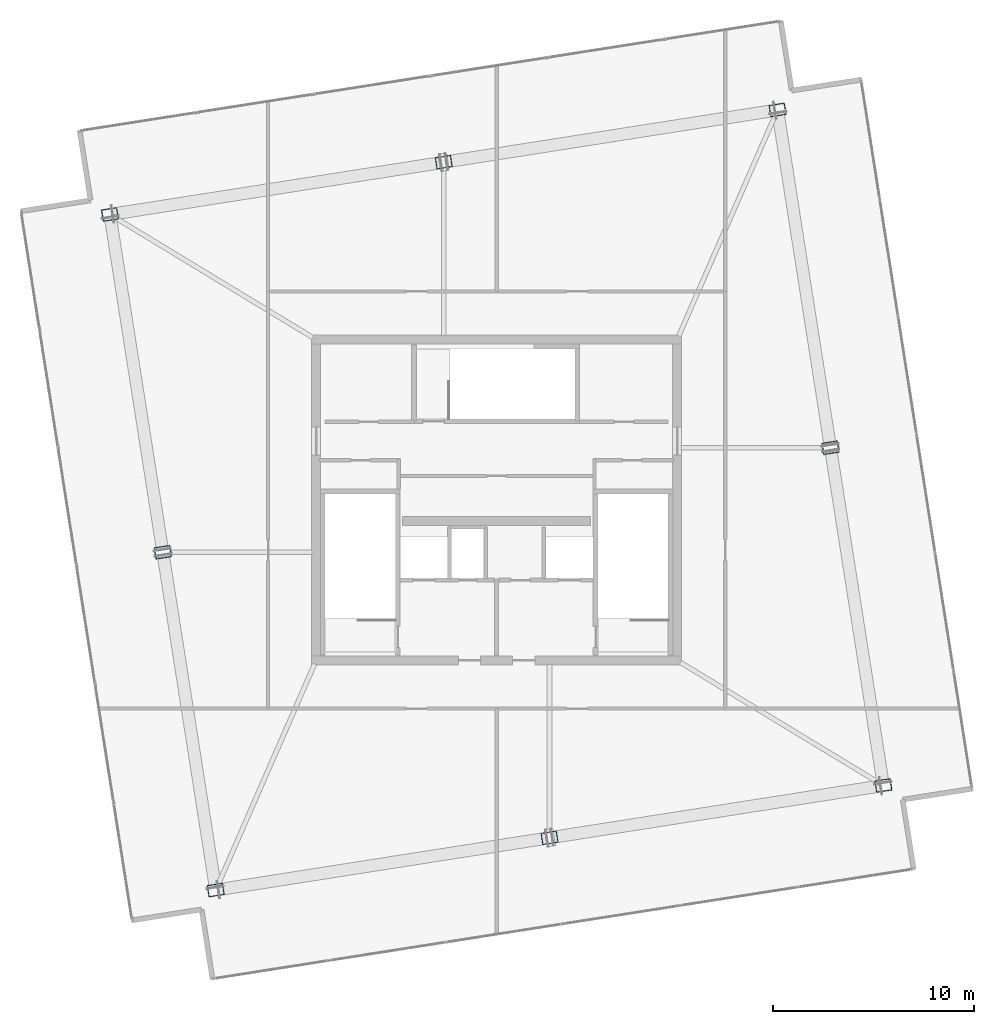
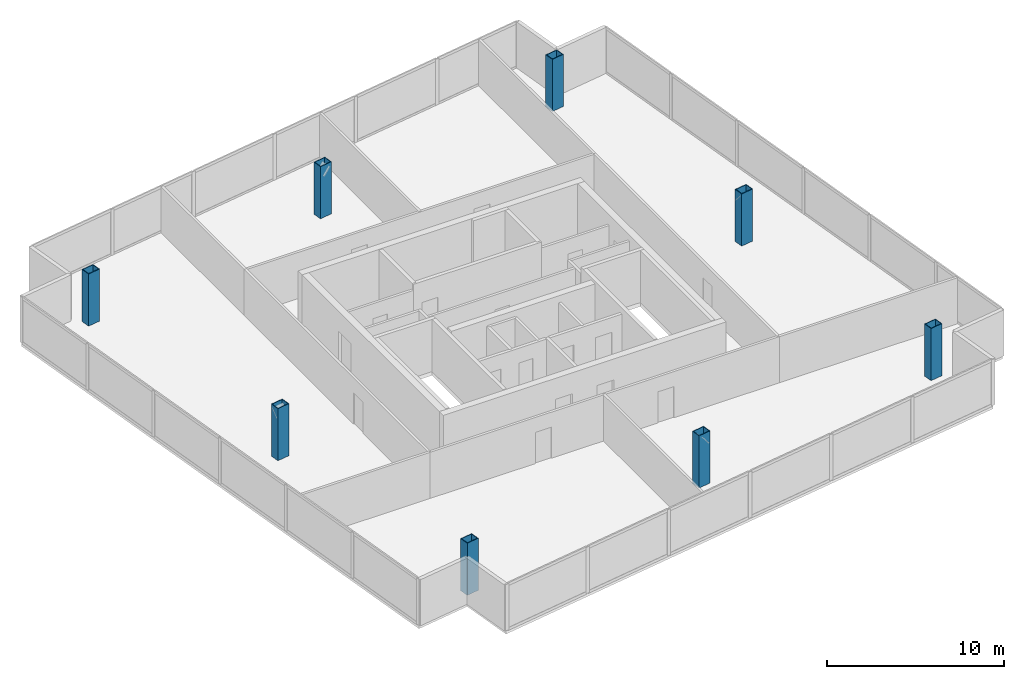
# One storey, part 1 of 17: 8 columns.
"""IFC4 building model written with IfcOpenShell, lengths in metres."""

from ifc_helpers import new_model, si_unit, direction, frame, origin, origin_2d, place, context, subcontext, project, spatial, hollow_rectangle, extrude, material, material_profile, profile_set, type_object, element, save


model = new_model("IFC4")

# Units and contexts
model_context = context("Model", 3, precision=1e-05, world=origin(), true_north=direction((0.0, 1.0)))
body_context = subcontext(model_context, "Body", "Model", "MODEL_VIEW")
ifc_project = project(units=[si_unit("LENGTHUNIT", "METRE"), si_unit("AREAUNIT", "SQUARE_METRE"), si_unit("VOLUMEUNIT", "CUBIC_METRE"), si_unit("PLANEANGLEUNIT", "RADIAN"), si_unit("MASSUNIT", "GRAM", prefix="KILO")], contexts=[model_context])

# Site, building, storey
site_placement = place(None, origin())
site = spatial("IfcSite", under=ifc_project, at=site_placement, CompositionType="ELEMENT")
building_placement = place(site_placement, origin())
building = spatial("IfcBuilding", under=site, at=building_placement, Name="Haldenkirk Collegiate Tower", CompositionType="ELEMENT")
storey_placement = place(building_placement, frame((0.0, 0.0, 371.39990234375)))
storey = spatial("IfcBuildingStorey", under=building, at=storey_placement, Name="L94", CompositionType="ELEMENT", Elevation=371.39990234375)

# Columns
ifc_material = material(Name="Steel ASTM A572 Grade 50", Category="steel")
ifc_material_profile = material_profile(ifc_material, hollow_rectangle(XDim=0.60009765625, YDim=0.800048828125, WallThickness=0.0400390625, at=origin_2d()), Name="BOX800X600X40")
ifc_profile_set = profile_set([ifc_material_profile], Name="Steel ASTM A572 Grade 50")
column_type = type_object("IfcColumnType", Name="COL-CROWN-BOX800", PredefinedType="COLUMN", material=ifc_profile_set)
for number, where, z_axis, x_axis, name in (
    (1, (55.284912109375, 11.76220703125, 0.0), (0.0, 0.0, 1.0), (-0.154710386299, 0.987959865769, 0.0), "L94 Crown Ring Frame column CC-1"),
    (2, (52.647216796875, 28.60693359375, 0.0), (0.0, 0.0, 1.0), (-0.154710386299, 0.987959865769, 0.0), "L94 Crown Ring Frame column CC-2"),
    (3, (50.00927734375, 45.45166015625, 0.0), (0.0, 0.0, 1.0), (-0.154710386299, 0.987959865769, 0.0), "L94 Crown Ring Frame column CC-3"),
    (4, (33.3623046875, 42.8447265625, 0.0), (0.0, 0.0, 1.0), (-0.154710386299, 0.987959865769, 0.0), "L94 Crown Ring Frame column CC-4"),
    (5, (16.715087890625, 40.23779296875, 0.0), (0.0, 0.0, 1.0), (-0.154710386299, 0.987959865769, 0.0), "L94 Crown Ring Frame column CC-5"),
    (6, (19.352783203125, 23.39306640625, 0.0), (0.0, 0.0, 1.0), (-0.154710386299, 0.987959865769, 0.0), "L94 Crown Ring Frame column CC-6"),
    (7, (21.99072265625, 6.54833984375, 0.0), (0.0, 0.0, 1.0), (-0.154710386299, 0.987959865769, 0.0), "L94 Crown Ring Frame column CC-7"),
    (8, (38.6376953125, 9.1552734375, 0.0), (0.0, 0.0, 1.0), (-0.154710386299, 0.987959865769, 0.0), "L94 Crown Ring Frame column CC-8"),
):
    element("IfcColumn", number, at=place(storey_placement, frame(where, z_axis=z_axis, x_axis=x_axis)), inside=storey, type_object=column_type, Name=name, PredefinedType="COLUMN", context=body_context, shape_type="SweptSolid", body=[
        extrude(hollow_rectangle(XDim=0.60009765625, YDim=0.800048828125, WallThickness=0.0400390625, at=origin_2d()), origin(), (0.0, 0.0, 1.0), 3.60009765625),
    ])

save(model, "model.ifc")
